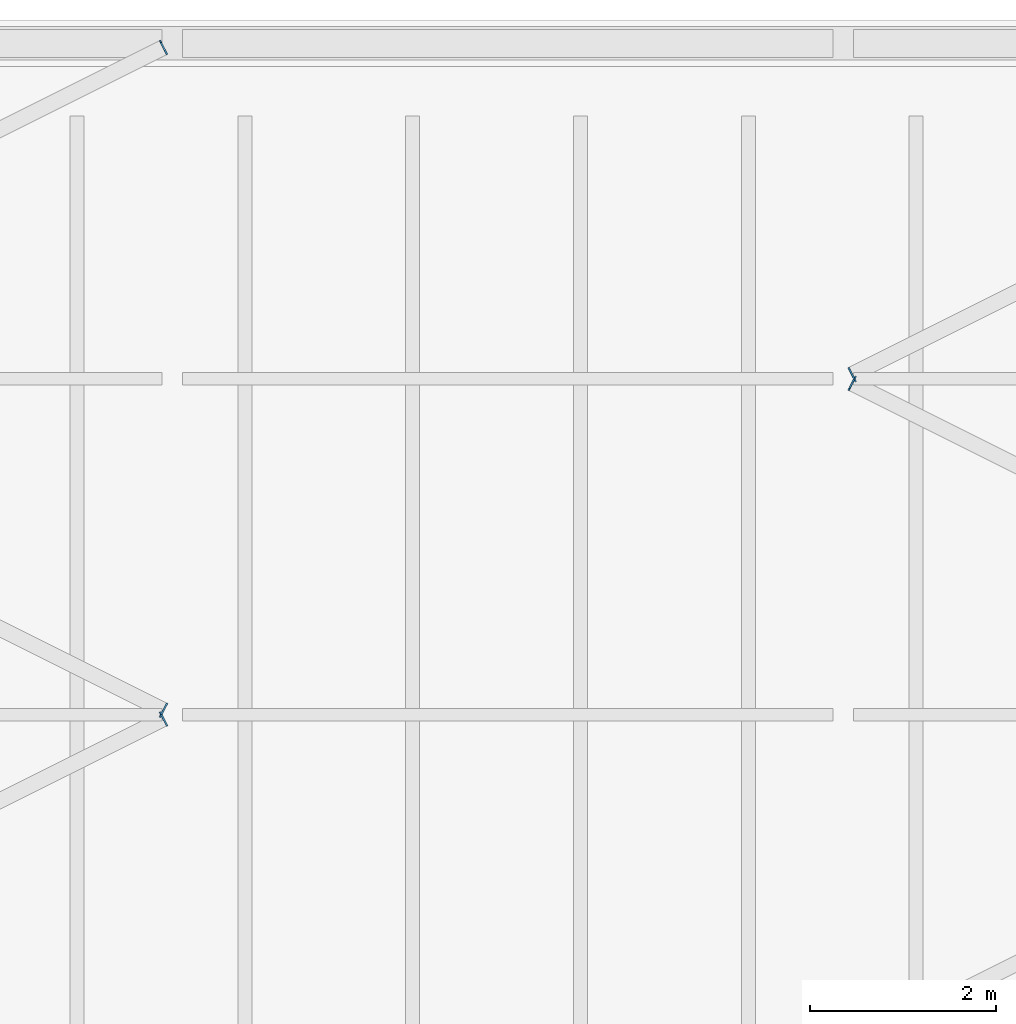
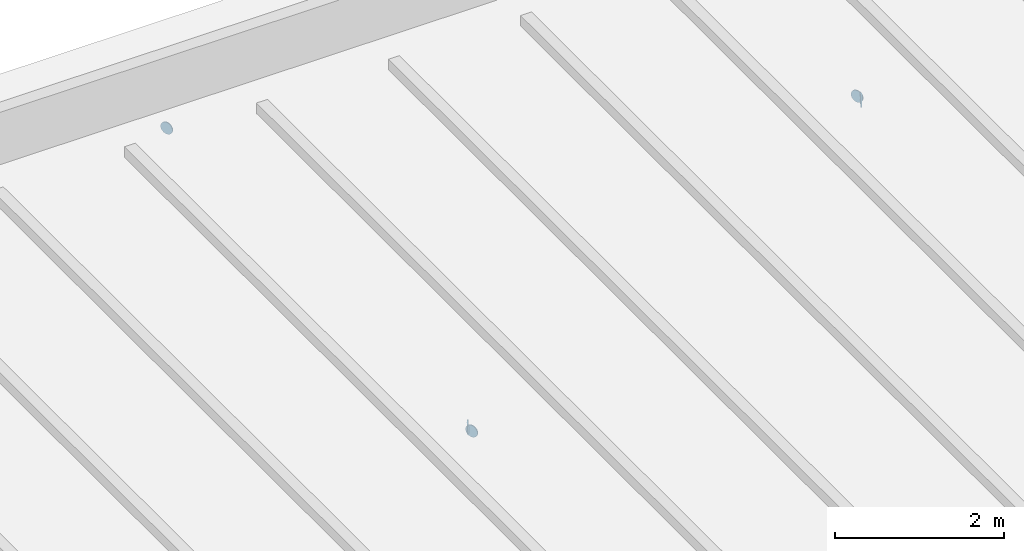
# One storey, part 77 of 110: 5 discrete accessories.
"""IFC4 building model written with IfcOpenShell, lengths in metres."""

from ifc_helpers import new_model, si_unit, direction, frame, origin, origin_2d, place, context, subcontext, project, spatial, circle, extrude, material, layer, layer_set, type_object, element, save


model = new_model("IFC4")

# Units and contexts
model_context = context("Model", 3, precision=1e-05, world=origin(), true_north=direction((0.0, 1.0)))
body_context = subcontext(model_context, "Body", "Model", "MODEL_VIEW")
ifc_project = project(units=[si_unit("LENGTHUNIT", "METRE"), si_unit("AREAUNIT", "SQUARE_METRE"), si_unit("VOLUMEUNIT", "CUBIC_METRE"), si_unit("PLANEANGLEUNIT", "RADIAN"), si_unit("MASSUNIT", "GRAM", prefix="KILO")], contexts=[model_context])

# Site, building, storey
site_placement = place(None, origin())
site = spatial("IfcSite", under=ifc_project, at=site_placement, CompositionType="ELEMENT")
building_placement = place(site_placement, origin())
building = spatial("IfcBuilding", under=site, at=building_placement, Name="Kupolbacken Congress Centre", CompositionType="ELEMENT")
storey_placement = place(building_placement, frame((0.0, 0.0, 18.0)))
storey = spatial("IfcBuildingStorey", under=building, at=storey_placement, Name="L05", CompositionType="ELEMENT", Elevation=18.0)

# Discrete accessories
ifc_material = material(Name="Steel S355", Category="steel")
ifc_layer = layer(ifc_material, 0.011962890625)
ifc_layer_set = layer_set([ifc_layer], Name="Steel S355")
discrete_accessory_type = type_object("IfcDiscreteAccessoryType", Name="EC2 tube end cap plate 168 dia x 12", PredefinedType="BRACKET", material=ifc_layer_set)
for number, where, z_axis, x_axis, name in (
    (1, (187.1015625, 143.95068359375, -0.084228515625), (0.886225443962, 0.463254209344, 0.0), (-0.463254209344, 0.886225443962, 0.0), "End cap plate BR/RB/05-05 B"),
    (2, (187.1015625, 144.04931640625, -0.084228515625), (0.886225443962, -0.463254209344, 0.0), (0.463254209344, 0.886225443962, 0.0), "End cap plate BR/RB/05-06 A"),
):
    element("IfcDiscreteAccessory", number, at=place(storey_placement, frame(where, z_axis=z_axis, x_axis=x_axis)), inside=storey, type_object=discrete_accessory_type, Name=name, PredefinedType="BRACKET", context=body_context, shape_type="SweptSolid", body=[
        extrude(circle(Radius=0.084228515625, at=origin_2d()), origin(), (0.0, 0.0, 1.0), 0.01220703125),
    ])
discrete_accessory_placement = place(storey_placement, frame((187.1015625, 151.15087890625, -0.084228515625), z_axis=(0.894427191, 0.4472135955, 0.0), x_axis=(-0.4472135955, 0.894427191, 0.0)))
element("IfcDiscreteAccessory", 3, at=discrete_accessory_placement, inside=storey, type_object=discrete_accessory_type, Name="End cap plate BR/RB/05-07 B", PredefinedType="BRACKET", context=body_context, shape_type="SweptSolid", body=[
    extrude(circle(Radius=0.084228515625, at=origin_2d()), origin(), (0.0, 0.0, 1.0), 0.011962890625),
])
for number, where, z_axis, x_axis, name in (
    (4, (194.498291015625, 147.55078125, -0.084228515625), (-0.890248162977, 0.455475804314, 0.0), (-0.455475804314, -0.890248162977, 0.0), "End cap plate BR/RB/07-06 B"),
    (5, (194.498291015625, 147.649169921875, -0.084228515625), (-0.890248162977, -0.455475804314, 0.0), (0.455475804314, -0.890248162977, 0.0), "End cap plate BR/RB/07-07 A"),
):
    element("IfcDiscreteAccessory", number, at=place(storey_placement, frame(where, z_axis=z_axis, x_axis=x_axis)), inside=storey, type_object=discrete_accessory_type, Name=name, PredefinedType="BRACKET", context=body_context, shape_type="SweptSolid", body=[
        extrude(circle(Radius=0.084228515625, at=origin_2d()), origin(), (0.0, 0.0, 1.0), 0.01171875),
    ])

save(model, "model.ifc")
